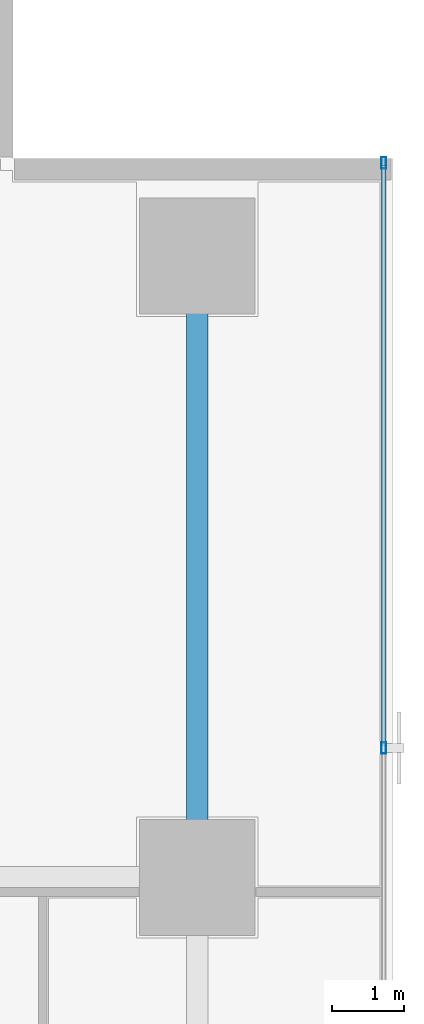
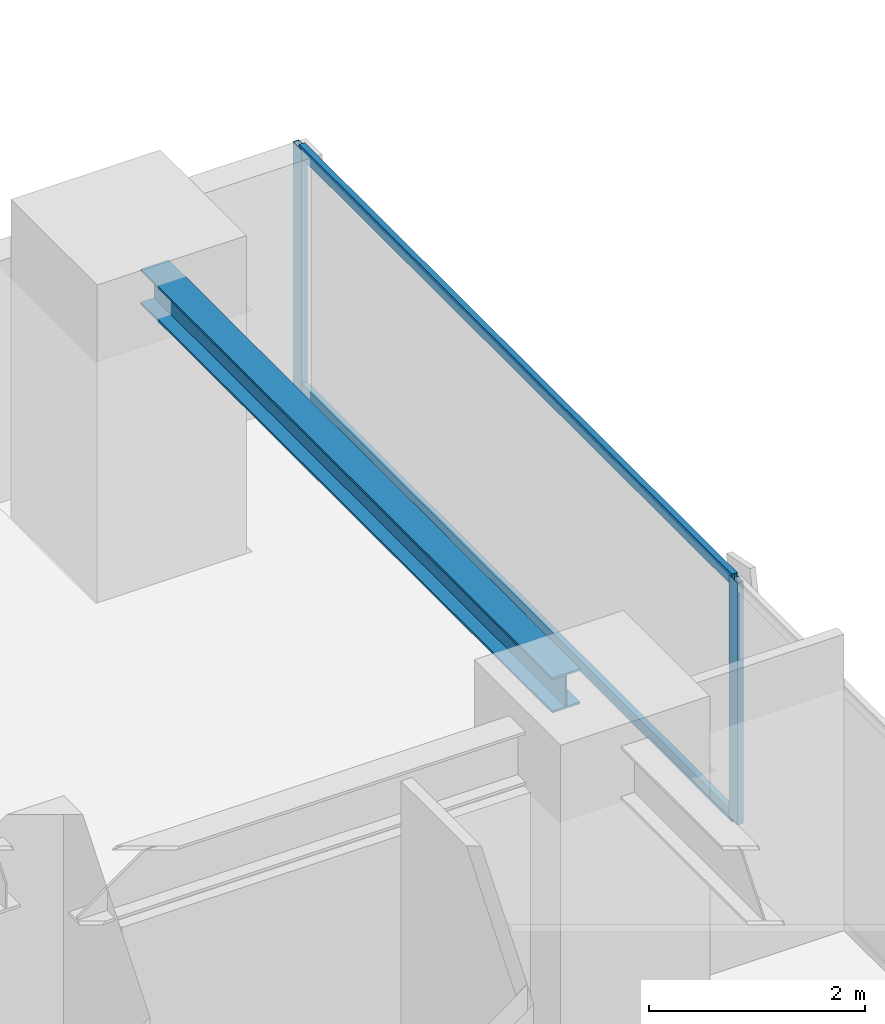
# One storey, part 24 of 37: 4 members, 1 beam, 1 element without a shape of its own.
"""IFC4 building model written with IfcOpenShell, lengths in metres."""

from ifc_helpers import new_model, si_unit, direction, frame, origin, origin_2d, place, context, subcontext, project, spatial, hollow_rectangle, i_section, extrude, source, transform, mapped, material, layer, layer_set, material_profile, profile_set, type_object, element, aggregate, save


model = new_model("IFC4")

# Units and contexts
model_context = context("Model", 3, precision=1e-05, world=origin(), true_north=direction((0.0, 1.0)))
body_context = subcontext(model_context, "Body", "Model", "MODEL_VIEW")
ifc_project = project(units=[si_unit("LENGTHUNIT", "METRE"), si_unit("AREAUNIT", "SQUARE_METRE"), si_unit("VOLUMEUNIT", "CUBIC_METRE"), si_unit("PLANEANGLEUNIT", "RADIAN"), si_unit("MASSUNIT", "GRAM", prefix="KILO")], contexts=[model_context])

# Site, building, storey
site_placement = place(None, origin())
site = spatial("IfcSite", under=ifc_project, at=site_placement, CompositionType="ELEMENT")
building_placement = place(site_placement, origin())
building = spatial("IfcBuilding", under=site, at=building_placement, Name="Sumidabori Civic Tower", CompositionType="ELEMENT")
storey_placement = place(building_placement, frame((0.0, 0.0, 88.39990234375)))
storey = spatial("IfcBuildingStorey", under=building, at=storey_placement, Name="L22", CompositionType="ELEMENT", Elevation=88.39990234375)

# Beam
ifc_material_1 = material(Name="Steel SN490", Category="steel")
ifc_material_profile_1 = material_profile(ifc_material_1, i_section(OverallWidth=0.300048828125, OverallDepth=0.39990234375, WebThickness=0.013427734375, FlangeThickness=0.02392578125, at=origin_2d()), Name="HE 400 B")
ifc_profile_set_1 = profile_set([ifc_material_profile_1], Name="Steel SN490")
beam_type = type_object("IfcBeamType", Name="BM-GIRD-400", PredefinedType="BEAM", material=ifc_profile_set_1)
shared_shape_1 = source(origin(), body_context, "Body", "SweptSolid", [
    extrude(i_section(OverallWidth=0.300048828125, OverallDepth=0.39990234375, WebThickness=0.013427734375, FlangeThickness=0.02392578125, at=origin_2d()), origin(), (0.0, 0.0, 1.0), 7.64013671875),
])
beam_placement = place(storey_placement, frame((22.800048828125, 10.679931640625, 3.16015625), z_axis=(0.0, 1.0, 0.0), x_axis=(-1.0, 0.0, 0.0)))
element("IfcBeam", 1, at=beam_placement, inside=storey, type_object=beam_type, Name="Primary Girder L22 GY-42", PredefinedType="BEAM", context=body_context, shape_type="MappedRepresentation", body=[
    mapped(shared_shape_1, transform((0.0, 0.0, 0.0), x_axis=(1.0, 0.0, 0.0), y_axis=(0.0, 1.0, 0.0), z_axis=(0.0, 0.0, 1.0), scale=1.0)),
])

# Curtain wall, members
ifc_material_2 = material(Name="Anodised Bronze Aluminium AW-6063-T6", Category="aluminium")
ifc_layer = layer(ifc_material_2, 0.179931640625, Name="Anodised Bronze Aluminium AW-6063-T6")
ifc_layer_set = layer_set([ifc_layer], Name="Anodised Bronze Aluminium AW-6063-T6")
curtain_wall_type = type_object("IfcCurtainWallType", Name="CW-SYS-3", PredefinedType="NOTDEFINED", material=ifc_layer_set)
curtain_wall_placement = place(storey_placement, origin())
curtain_wall = element("IfcCurtainWall", 2, at=curtain_wall_placement, inside=storey, type_object=curtain_wall_type, Name="Curtain Wall CW:L22:R04", PredefinedType="NOTDEFINED")
ifc_material_profile_2 = material_profile(ifc_material_2, hollow_rectangle(XDim=0.06494140625, YDim=0.159912109375, WallThickness=0.0048828125, at=origin_2d()), Name="ALU MULLION 160x65")
ifc_profile_set_2 = profile_set([ifc_material_profile_2], Name="Anodised Bronze Aluminium AW-6063-T6")
member_type_1 = type_object("IfcMemberType", Name="CW-MUL-160", PredefinedType="MULLION", material=ifc_profile_set_2)
shared_shape_2 = source(origin(), body_context, "Body", "SweptSolid", [
    extrude(hollow_rectangle(XDim=0.06494140625, YDim=0.159912109375, WallThickness=0.0048828125, at=origin_2d()), origin(), (0.0, 0.0, 1.0), 2.739990234375),
])
member_1_placement = place(storey_placement, frame((25.3798828125, 11.991943359375, 0.0), z_axis=(0.0, 0.0, 1.0), x_axis=(-1.0, 0.0, 0.0)))
member_1 = element("IfcMember", 3, at=member_1_placement, type_object=member_type_1, Name="CW-3 mullion 5", PredefinedType="MULLION", context=body_context, shape_type="MappedRepresentation", body=[
    mapped(shared_shape_2, transform((0.0, 0.0, 0.0), x_axis=(1.0, 0.0, 0.0), y_axis=(0.0, 1.0, 0.0), z_axis=(0.0, 0.0, 1.0), scale=1.0)),
])
member_2_placement = place(storey_placement, frame((25.3798828125, 20.08740234375, 0.0), z_axis=(0.0, 0.0, 1.0), x_axis=(-1.0, 0.0, 0.0)))
member_2 = element("IfcMember", 4, at=member_2_placement, type_object=member_type_1, Name="CW-3 mullion 6", PredefinedType="MULLION", context=body_context, shape_type="MappedRepresentation", body=[
    mapped(shared_shape_2, transform((0.0, 0.0, 0.0), x_axis=(1.0, 0.0, 0.0), y_axis=(0.0, 1.0, 0.0), z_axis=(0.0, 0.0, 1.0), scale=1.0)),
])
ifc_material_profile_3 = material_profile(ifc_material_2, hollow_rectangle(XDim=0.06005859375, YDim=0.1298828125, WallThickness=0.0048828125, at=origin_2d()), Name="ALU TRANSOM 130x60")
ifc_profile_set_3 = profile_set([ifc_material_profile_3], Name="Anodised Bronze Aluminium AW-6063-T6")
member_type_2 = type_object("IfcMemberType", Name="CW-TRN-130", PredefinedType="USERDEFINED", material=ifc_profile_set_3)
shared_shape_3 = source(origin(), body_context, "Body", "SweptSolid", [
    extrude(hollow_rectangle(XDim=0.06005859375, YDim=0.1298828125, WallThickness=0.0048828125, at=origin_2d()), origin(), (0.0, 0.0, 1.0), 8.030517578125),
])
member_3_placement = place(storey_placement, frame((25.3798828125, 12.0244140625, 0.030029296875), z_axis=(0.0, 1.0, 0.0), x_axis=(-1.0, 0.0, 0.0)))
member_3 = element("IfcMember", 5, at=member_3_placement, type_object=member_type_2, Name="CW-3 transom 5.1", ObjectType="TRANSOM", PredefinedType="USERDEFINED", context=body_context, shape_type="MappedRepresentation", body=[
    mapped(shared_shape_3, transform((0.0, 0.0, 0.0), x_axis=(1.0, 0.0, 0.0), y_axis=(0.0, 1.0, 0.0), z_axis=(0.0, 0.0, 1.0), scale=1.0)),
])
member_4_placement = place(storey_placement, frame((25.3798828125, 12.0244140625, 2.710205078125), z_axis=(0.0, 1.0, 0.0), x_axis=(-1.0, 0.0, 0.0)))
member_4 = element("IfcMember", 6, at=member_4_placement, type_object=member_type_2, Name="CW-3 transom 5.2", ObjectType="TRANSOM", PredefinedType="USERDEFINED", context=body_context, shape_type="MappedRepresentation", body=[
    mapped(shared_shape_3, transform((0.0, 0.0, 0.0), x_axis=(1.0, 0.0, 0.0), y_axis=(0.0, 1.0, 0.0), z_axis=(0.0, 0.0, 1.0), scale=1.0)),
])
aggregate(curtain_wall, [member_1, member_2, member_3, member_4])

save(model, "model.ifc")
